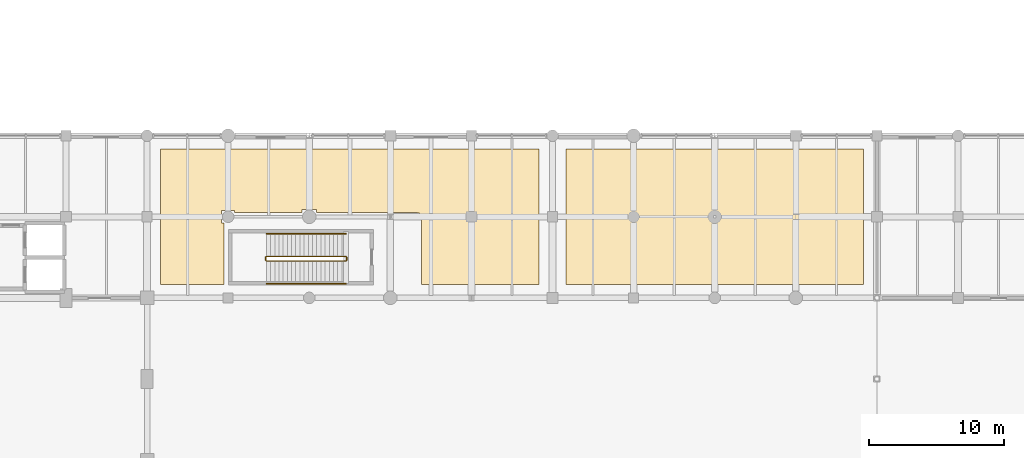
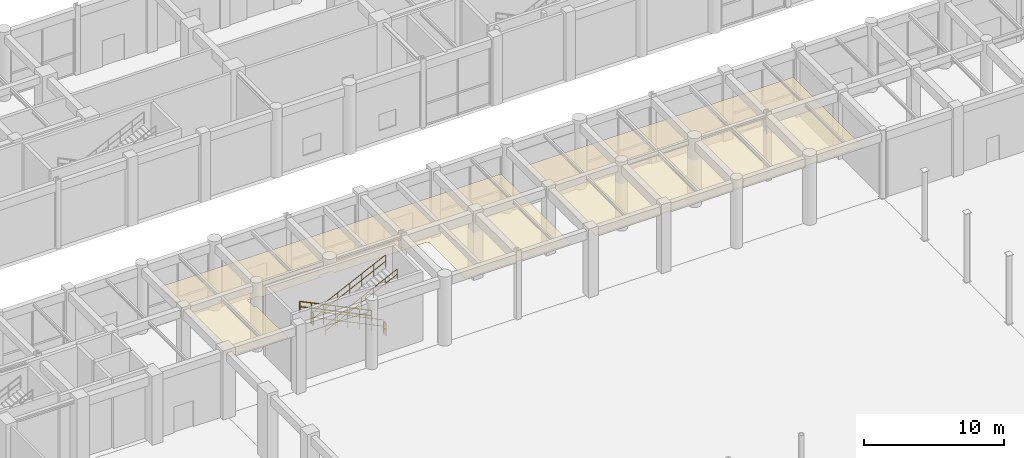
# One storey, part 103 of 106: 6 railings, 2 coverings.
"""IFC4 building model written with IfcOpenShell, lengths in metres."""

from ifc_helpers import new_model, si_unit, direction, frame, origin, origin_2d, place, context, subcontext, project, spatial, polyline, circle, outline, extrude, material, layer, layer_set, type_object, element, save


model = new_model("IFC4")

# Units and contexts
model_context = context("Model", 3, precision=1e-05, world=origin(), true_north=direction((0.0, 1.0)))
body_context = subcontext(model_context, "Body", "Model", "MODEL_VIEW")
ifc_project = project(units=[si_unit("LENGTHUNIT", "METRE"), si_unit("AREAUNIT", "SQUARE_METRE"), si_unit("VOLUMEUNIT", "CUBIC_METRE"), si_unit("PLANEANGLEUNIT", "RADIAN"), si_unit("MASSUNIT", "GRAM", prefix="KILO"), si_unit("THERMODYNAMICTEMPERATUREUNIT", "KELVIN"), si_unit("POWERUNIT", "WATT")], contexts=[model_context])

# Site, building, storey
site_placement = place(None, origin())
site = spatial("IfcSite", under=ifc_project, at=site_placement, CompositionType="ELEMENT")
building_placement = place(site_placement, origin())
building = spatial("IfcBuilding", under=site, at=building_placement, Name="Phaisarnlok Congress Hotel", CompositionType="ELEMENT")
storey_placement = place(building_placement, origin())
storey = spatial("IfcBuildingStorey", under=building, at=storey_placement, Name="L00", CompositionType="ELEMENT", Elevation=0.0)

# Coverings
ifc_material_1 = material(Name="Moisture-Resistant Gypsum Ceiling Board", Category="gypsum")
ifc_layer = layer(ifc_material_1, 0.014892578125, Name="Moisture-Resistant Gypsum Ceiling Board")
ifc_layer_set = layer_set([ifc_layer], Name="Moisture-Resistant Gypsum Ceiling Board")
covering_type = type_object("IfcCoveringType", Name="CLG-GYP-15", PredefinedType="CEILING", material=ifc_layer_set)
covering_1_placement = place(storey_placement, frame((0.0, 0.0, 4.10009765625)))
element("IfcCovering", 1, at=covering_1_placement, inside=storey, type_object=covering_type, Name="Suspended ceiling CLG-02 (L00)", PredefinedType="CEILING", context=body_context, shape_type="SweptSolid", body=[
    extrude(outline(polyline([(86.294189453125, 90.05859375), (86.287109375, 90.087158203125), (86.277099609375, 90.11474609375), (86.2646484375, 90.141357421875), (86.24951171875, 90.166748046875), (86.23193359375, 90.190185546875), (86.212158203125, 90.212158203125), (86.190185546875, 90.23193359375), (86.166748046875, 90.24951171875), (86.141357421875, 90.2646484375), (86.11474609375, 90.277099609375), (86.087158203125, 90.287109375), (86.05859375, 90.294189453125), (86.029296875, 90.298583984375), (86.0, 90.300048828125), (78.550048828125, 90.300048828125), (78.550048828125, 90.550048828125), (77.449951171875, 90.550048828125), (77.449951171875, 90.300048828125), (72.47509765625, 90.300048828125), (72.47509765625, 90.47509765625), (71.52490234375, 90.47509765625), (71.52490234375, 89.52490234375), (71.699951171875, 89.52490234375), (71.699951171875, 85.0), (67.0, 85.0), (67.0, 95.0), (95.0, 95.0), (95.0, 85.0), (86.300048828125, 85.0), (86.300048828125, 90.0), (86.298583984375, 90.029296875), (86.294189453125, 90.05859375)])), origin(), (0.0, 0.0, 1.0), 0.014892578125),
])
covering_2_placement = place(storey_placement, frame((0.0, 0.0, 4.10009765625)))
element("IfcCovering", 2, at=covering_2_placement, inside=storey, type_object=covering_type, Name="Suspended ceiling CLG-02 (L00)", PredefinedType="CEILING", context=body_context, shape_type="SweptSolid", body=[
    extrude(outline(polyline([(119.0, 85.0), (97.0, 85.0), (97.0, 95.0), (119.0, 95.0), (119.0, 85.0)])), origin(), (0.0, 0.0, 1.0), 0.014892578125),
])

# Railings
ifc_material_2 = material(Name="Painted Galvanised Steel S275", Category="steel")
railing_type_1 = type_object("IfcRailingType", Name="RLG-STR-GUARD", PredefinedType="BALUSTRADE", material=ifc_material_2)
railing_1_placement = place(storey_placement, frame((80.719970703125, 87.070068359375, 0.14990234375)))
element("IfcRailing", 3, at=railing_1_placement, inside=storey, type_object=railing_type_1, Name="L00 ST-11 stair guard 1", PredefinedType="BALUSTRADE", context=body_context, shape_type="SweptSolid", body=[
    extrude(circle(Radius=0.02392578125, at=origin_2d()), frame((0.0, 0.0, 1.076171875), z_axis=(-0.900150285036, 0.0, 0.435579458135), x_axis=(0.0, -1.0, 0.0)), (0.0, 0.0, 1.0), 6.543212890625),
    extrude(circle(Radius=0.02392578125, at=origin_2d()), frame((0.0, 0.0, 0.52587890625), z_axis=(-0.900150285036, 0.0, 0.435579458135), x_axis=(0.0, -1.0, 0.0)), (0.0, 0.0, 1.0), 6.543212890625),
    extrude(circle(Radius=0.02099609375, at=origin_2d()), origin(), (0.0, 0.0, 1.0), 1.052001953125),
    extrude(circle(Radius=0.02099609375, at=origin_2d()), frame((-0.981689453125, 0.0, 0.47509765625)), (0.0, 0.0, 1.0), 1.052001953125),
    extrude(circle(Radius=0.02099609375, at=origin_2d()), frame((-1.96337890625, 0.0, 0.949951171875)), (0.0, 0.0, 1.0), 1.052001953125),
    extrude(circle(Radius=0.02099609375, at=origin_2d()), frame((-2.94482421875, 0.0, 1.425048828125)), (0.0, 0.0, 1.0), 1.052001953125),
    extrude(circle(Radius=0.02099609375, at=origin_2d()), frame((-3.926513671875, 0.0, 1.900146484375)), (0.0, 0.0, 1.0), 1.052001953125),
    extrude(circle(Radius=0.02099609375, at=origin_2d()), frame((-4.908203125, 0.0, 2.375)), (0.0, 0.0, 1.0), 1.052001953125),
    extrude(circle(Radius=0.02099609375, at=origin_2d()), frame((-5.889892578125, 0.0, 2.85009765625)), (0.0, 0.0, 1.0), 1.052001953125),
])
railing_2_placement = place(storey_placement, frame((74.780029296875, 87.02001953125, 3.0)))
element("IfcRailing", 4, at=railing_2_placement, inside=storey, type_object=railing_type_1, Name="L00 ST-11 stair guard 2", PredefinedType="BALUSTRADE", context=body_context, shape_type="SweptSolid", body=[
    extrude(circle(Radius=0.02392578125, at=origin_2d()), frame((0.0, 0.0, 1.076171875), z_axis=(0.0, -1.0, 0.0), x_axis=(1.0, 0.0, 0.0)), (0.0, 0.0, 1.0), 0.239990234375),
    extrude(circle(Radius=0.02392578125, at=origin_2d()), frame((0.0, 0.0, 0.52587890625), z_axis=(0.0, -1.0, 0.0), x_axis=(1.0, 0.0, 0.0)), (0.0, 0.0, 1.0), 0.239990234375),
    extrude(circle(Radius=0.02099609375, at=origin_2d()), origin(), (0.0, 0.0, 1.0), 1.052001953125),
    extrude(circle(Radius=0.02099609375, at=origin_2d()), frame((0.0, -0.239990234375, 0.0)), (0.0, 0.0, 1.0), 1.052001953125),
])
railing_3_placement = place(storey_placement, frame((74.830078125, 86.72998046875, 3.14990234375)))
element("IfcRailing", 5, at=railing_3_placement, inside=storey, type_object=railing_type_1, Name="L00 ST-11 stair guard 3", PredefinedType="BALUSTRADE", context=body_context, shape_type="SweptSolid", body=[
    extrude(circle(Radius=0.02392578125, at=origin_2d()), frame((0.0, 0.0, 1.076171875), z_axis=(0.900150285036, 0.0, 0.435579458135), x_axis=(0.0, 1.0, 0.0)), (0.0, 0.0, 1.0), 6.543212890625),
    extrude(circle(Radius=0.02392578125, at=origin_2d()), frame((0.0, 0.0, 0.52587890625), z_axis=(0.900150285036, 0.0, 0.435579458135), x_axis=(0.0, 1.0, 0.0)), (0.0, 0.0, 1.0), 6.543212890625),
    extrude(circle(Radius=0.02099609375, at=origin_2d()), origin(), (0.0, 0.0, 1.0), 1.052001953125),
    extrude(circle(Radius=0.02099609375, at=origin_2d()), frame((0.981689453125, 0.0, 0.47509765625)), (0.0, 0.0, 1.0), 1.052001953125),
    extrude(circle(Radius=0.02099609375, at=origin_2d()), frame((1.96337890625, 0.0, 0.949951171875)), (0.0, 0.0, 1.0), 1.052001953125),
    extrude(circle(Radius=0.02099609375, at=origin_2d()), frame((2.94482421875, 0.0, 1.425048828125)), (0.0, 0.0, 1.0), 1.052001953125),
    extrude(circle(Radius=0.02099609375, at=origin_2d()), frame((3.926513671875, 0.0, 1.900146484375)), (0.0, 0.0, 1.0), 1.052001953125),
    extrude(circle(Radius=0.02099609375, at=origin_2d()), frame((4.908203125, 0.0, 2.375)), (0.0, 0.0, 1.0), 1.052001953125),
    extrude(circle(Radius=0.02099609375, at=origin_2d()), frame((5.889892578125, 0.0, 2.85009765625)), (0.0, 0.0, 1.0), 1.052001953125),
])
railing_4_placement = place(storey_placement, frame((80.77001953125, 87.02001953125, 0.0)))
element("IfcRailing", 6, at=railing_4_placement, inside=storey, type_object=railing_type_1, Name="L00 ST-11 stair guard 4", PredefinedType="BALUSTRADE", context=body_context, shape_type="SweptSolid", body=[
    extrude(circle(Radius=0.02392578125, at=origin_2d()), frame((0.0, 0.0, 1.076171875), z_axis=(0.0, -1.0, 0.0), x_axis=(1.0, 0.0, 0.0)), (0.0, 0.0, 1.0), 0.239990234375),
    extrude(circle(Radius=0.02392578125, at=origin_2d()), frame((0.0, 0.0, 0.52587890625), z_axis=(0.0, -1.0, 0.0), x_axis=(1.0, 0.0, 0.0)), (0.0, 0.0, 1.0), 0.239990234375),
    extrude(circle(Radius=0.02099609375, at=origin_2d()), origin(), (0.0, 0.0, 1.0), 1.052001953125),
    extrude(circle(Radius=0.02099609375, at=origin_2d()), frame((0.0, -0.239990234375, 0.0)), (0.0, 0.0, 1.0), 1.052001953125),
])
ifc_material_3 = material(Name="Brushed Stainless Steel Grade 304", Category="steel")
railing_type_2 = type_object("IfcRailingType", Name="RLG-STR-HRAIL", PredefinedType="HANDRAIL", material=ifc_material_3)
railing_5_placement = place(storey_placement, frame((80.719970703125, 88.75, 0.14990234375)))
element("IfcRailing", 7, at=railing_5_placement, inside=storey, type_object=railing_type_2, Name="L00 ST-11 stair handrail 1", PredefinedType="HANDRAIL", context=body_context, shape_type="SweptSolid", body=[
    extrude(circle(Radius=0.02392578125, at=origin_2d()), frame((0.0, 0.0, 0.8759765625), z_axis=(-0.900150285036, 0.0, 0.435579458135), x_axis=(0.0, -1.0, 0.0)), (0.0, 0.0, 1.0), 6.543212890625),
    extrude(circle(Radius=0.02392578125, at=origin_2d()), frame((0.0, 0.0, 0.42578125), z_axis=(-0.900150285036, 0.0, 0.435579458135), x_axis=(0.0, -1.0, 0.0)), (0.0, 0.0, 1.0), 6.543212890625),
    extrude(circle(Radius=0.02099609375, at=origin_2d()), origin(), (0.0, 0.0, 1.0), 0.851806640625),
    extrude(circle(Radius=0.02099609375, at=origin_2d()), frame((-0.981689453125, 0.0, 0.47509765625)), (0.0, 0.0, 1.0), 0.851806640625),
    extrude(circle(Radius=0.02099609375, at=origin_2d()), frame((-1.96337890625, 0.0, 0.949951171875)), (0.0, 0.0, 1.0), 0.851806640625),
    extrude(circle(Radius=0.02099609375, at=origin_2d()), frame((-2.94482421875, 0.0, 1.425048828125)), (0.0, 0.0, 1.0), 0.851806640625),
    extrude(circle(Radius=0.02099609375, at=origin_2d()), frame((-3.926513671875, 0.0, 1.900146484375)), (0.0, 0.0, 1.0), 0.851806640625),
    extrude(circle(Radius=0.02099609375, at=origin_2d()), frame((-4.908203125, 0.0, 2.375)), (0.0, 0.0, 1.0), 0.851806640625),
    extrude(circle(Radius=0.02099609375, at=origin_2d()), frame((-5.889892578125, 0.0, 2.85009765625)), (0.0, 0.0, 1.0), 0.851806640625),
])
railing_6_placement = place(storey_placement, frame((74.830078125, 85.050048828125, 3.14990234375)))
element("IfcRailing", 8, at=railing_6_placement, inside=storey, type_object=railing_type_2, Name="L00 ST-11 stair handrail 2", PredefinedType="HANDRAIL", context=body_context, shape_type="SweptSolid", body=[
    extrude(circle(Radius=0.02392578125, at=origin_2d()), frame((0.0, 0.0, 0.8759765625), z_axis=(0.900150285036, 0.0, 0.435579458135), x_axis=(0.0, 1.0, 0.0)), (0.0, 0.0, 1.0), 6.543212890625),
    extrude(circle(Radius=0.02392578125, at=origin_2d()), frame((0.0, 0.0, 0.42578125), z_axis=(0.900150285036, 0.0, 0.435579458135), x_axis=(0.0, 1.0, 0.0)), (0.0, 0.0, 1.0), 6.543212890625),
    extrude(circle(Radius=0.02099609375, at=origin_2d()), origin(), (0.0, 0.0, 1.0), 0.851806640625),
    extrude(circle(Radius=0.02099609375, at=origin_2d()), frame((0.981689453125, 0.0, 0.47509765625)), (0.0, 0.0, 1.0), 0.851806640625),
    extrude(circle(Radius=0.02099609375, at=origin_2d()), frame((1.96337890625, 0.0, 0.949951171875)), (0.0, 0.0, 1.0), 0.851806640625),
    extrude(circle(Radius=0.02099609375, at=origin_2d()), frame((2.94482421875, 0.0, 1.425048828125)), (0.0, 0.0, 1.0), 0.851806640625),
    extrude(circle(Radius=0.02099609375, at=origin_2d()), frame((3.926513671875, 0.0, 1.900146484375)), (0.0, 0.0, 1.0), 0.851806640625),
    extrude(circle(Radius=0.02099609375, at=origin_2d()), frame((4.908203125, 0.0, 2.375)), (0.0, 0.0, 1.0), 0.851806640625),
    extrude(circle(Radius=0.02099609375, at=origin_2d()), frame((5.889892578125, 0.0, 2.85009765625)), (0.0, 0.0, 1.0), 0.851806640625),
])

save(model, "model.ifc")
